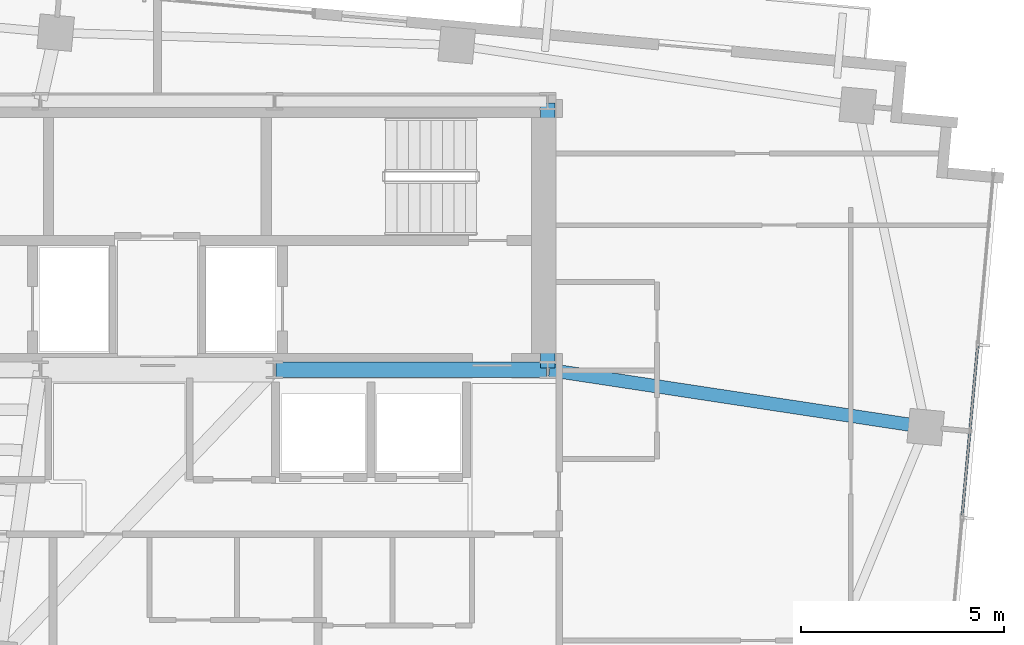
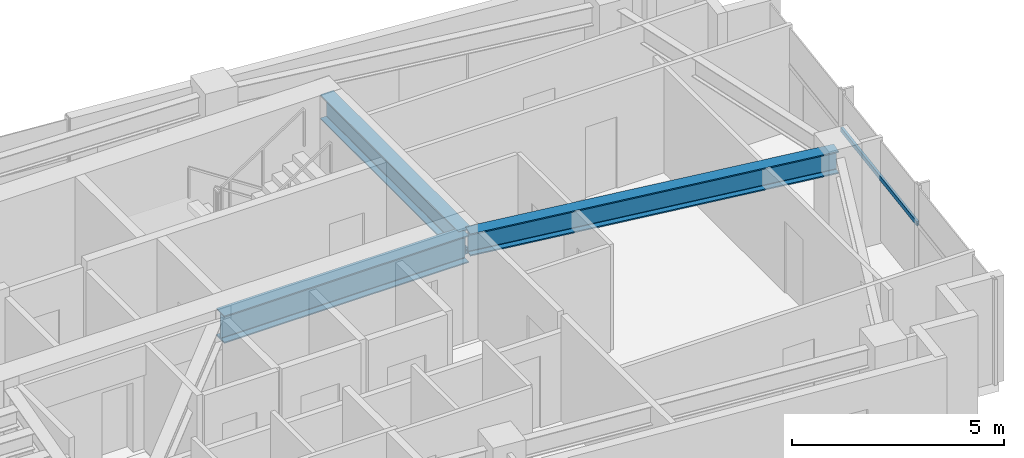
# One storey, part 13 of 22: 3 beams, 1 member, 1 element without a shape of its own.
"""IFC4 building model written with IfcOpenShell, lengths in metres."""

import ifcopenshell
import ifcopenshell.guid

model = None  # the IFC model being written
_history = None  # IfcOwnerHistory: only IFC2X3 demands one
_inside = {}  # id of a spatial element -> (the spatial element, [elements in it])
_under = {}  # id of a project, library or spatial element -> (it, [spatial elements below it])
_declared = {}  # id of a project -> (the project, [libraries it declares])
_typed = {}  # id of a type object -> (the type object, [elements of that type])
_made_of = {}  # id of a material, layer set ... -> (it, [elements and type objects made of it])


def new_model(schema):
    """Start an empty IFC model of exactly this schema.

    Asked for "IFC4X3", IfcOpenShell would pick the latest addendum, in which some entities
    have other attributes; the version numbers below select the first issue.
    IFC2X3 requires an IfcOwnerHistory on every rooted entity: one is made here for all.
    """
    global model, _history
    if schema == "IFC4X3":
        model = ifcopenshell.file(schema_version=(4, 3, 0, 0))
    else:
        model = ifcopenshell.file(schema=schema)
    _inside.clear()
    _under.clear()
    _declared.clear()
    _typed.clear()
    _made_of.clear()
    _history = None
    if model.schema == "IFC2X3":
        org = make("IfcOrganization", Name="unknown")
        user = make(
            "IfcPersonAndOrganization",
            ThePerson=make("IfcPerson", FamilyName="unknown"),
            TheOrganization=org,
        )
        app = make(
            "IfcApplication",
            ApplicationDeveloper=org,
            Version="unknown",
            ApplicationFullName="unknown",
            ApplicationIdentifier="unknown",
        )
        _history = make(
            "IfcOwnerHistory",
            OwningUser=user,
            OwningApplication=app,
            ChangeAction="ADDED",
            CreationDate=0,
        )
    return model


def make(cls, **values):
    """One entity of the class cls with the attributes given. An attribute that is None is left unset."""
    return model.create_entity(
        cls, **{name: value for name, value in values.items() if value is not None}
    )


def rooted(cls, **values):
    """An entity with a GlobalId (a new one), such as an element, a storey or a relation."""
    return make(cls, GlobalId=ifcopenshell.guid.new(), OwnerHistory=_history, **values)


def si_unit(unit_type, name, prefix=None):
    """IfcSIUnit, for example si_unit("LENGTHUNIT", "METRE", prefix="MILLI")."""
    return make("IfcSIUnit", UnitType=unit_type, Prefix=prefix, Name=name)


def assignment(units):
    """IfcUnitAssignment: the units of a project."""
    return None if units is None else make("IfcUnitAssignment", Units=units)


def point(xyz):
    """IfcCartesianPoint."""
    return None if xyz is None else make("IfcCartesianPoint", Coordinates=xyz)


def direction(xyz):
    """IfcDirection."""
    return None if xyz is None else make("IfcDirection", DirectionRatios=xyz)


def frame(location, z_axis=None, x_axis=None):
    """IfcAxis2Placement3D, a coordinate frame: its origin and axes. An axis left out is left unset."""
    return make(
        "IfcAxis2Placement3D",
        Location=point(location),
        Axis=direction(z_axis),
        RefDirection=direction(x_axis),
    )


def frame_2d(location, x_axis=None):
    """IfcAxis2Placement2D, a coordinate frame in the plane: its origin and x axis."""
    return make(
        "IfcAxis2Placement2D", Location=point(location), RefDirection=direction(x_axis)
    )


def origin():
    """The frame at (0, 0, 0) with its axes left unset."""
    return frame((0.0, 0.0, 0.0))


def origin_2d():
    """The frame at (0, 0) in the plane with its x axis left unset."""
    return frame_2d((0.0, 0.0))


def place(relative_to, where):
    """IfcLocalPlacement: puts the frame where relative to a parent placement (None: the world)."""
    return make(
        "IfcLocalPlacement", PlacementRelTo=relative_to, RelativePlacement=where
    )


def context(
    kind, dimensions, precision=None, world=None, true_north=None, identifier=None
):
    """IfcGeometricRepresentationContext, for example the 3D "Model" context."""
    return make(
        "IfcGeometricRepresentationContext",
        ContextIdentifier=identifier,
        ContextType=kind,
        CoordinateSpaceDimension=dimensions,
        Precision=precision,
        WorldCoordinateSystem=world,
        TrueNorth=true_north,
    )


def subcontext(parent, identifier, kind, view, scale=None):
    """IfcGeometricRepresentationSubContext, for example "Body" below "Model"."""
    return make(
        "IfcGeometricRepresentationSubContext",
        ContextIdentifier=identifier,
        ContextType=kind,
        ParentContext=parent,
        TargetScale=scale,
        TargetView=view,
    )


def project(units=None, contexts=None):
    """IfcProject with its units and contexts."""
    return rooted(
        "IfcProject",
        Name="project",
        RepresentationContexts=contexts,
        UnitsInContext=assignment(units),
    )


def spatial(cls, under=None, at=None, **own):
    """A site, building, storey or space (cls), placed at a placement, below another one or the project."""
    s = rooted(cls, ObjectPlacement=at, **own)
    if under is not None:
        _under.setdefault(under.id(), (under, []))[1].append(s)
    return s


def profile(cls, at=None, kind="AREA", **sizes):
    """A parametric profile (cls). Its sizes go by their IFC names, for example OverallWidth=200.0."""
    return make(cls, ProfileType=kind, Position=at, **sizes)


def hollow_rectangle(**sizes):
    """IfcRectangleHollowProfileDef."""
    return profile("IfcRectangleHollowProfileDef", **sizes)


def i_section(**sizes):
    """IfcIShapeProfileDef."""
    return profile("IfcIShapeProfileDef", **sizes)


def extrude(swept, where, along, depth):
    """IfcExtrudedAreaSolid: the profile swept, set in the frame where, extruded along a direction by depth."""
    return make(
        "IfcExtrudedAreaSolid",
        SweptArea=swept,
        Position=where,
        ExtrudedDirection=direction(along),
        Depth=depth,
    )


def shape(context_of_items, identifier, shape_type, items):
    """IfcShapeRepresentation: the items that make up one representation, for example the "Body"."""
    return make(
        "IfcShapeRepresentation",
        ContextOfItems=context_of_items,
        RepresentationIdentifier=identifier,
        RepresentationType=shape_type,
        Items=items,
    )


def source(mapping_origin, context_of_items, identifier, shape_type, items):
    """IfcRepresentationMap: a shape defined once, which mapped items show again and again."""
    return make(
        "IfcRepresentationMap",
        MappingOrigin=mapping_origin,
        MappedRepresentation=shape(context_of_items, identifier, shape_type, items),
    )


def transform(
    local_origin,
    x_axis=None,
    y_axis=None,
    z_axis=None,
    scale=None,
    scale2=None,
    scale3=None,
    uniform=True,
):
    """IfcCartesianTransformationOperator3D, or its non-uniform kind. x_axis, y_axis, z_axis: its Axis1, 2, 3."""
    if uniform:
        return make(
            "IfcCartesianTransformationOperator3D",
            Axis1=direction(x_axis),
            Axis2=direction(y_axis),
            LocalOrigin=point(local_origin),
            Scale=scale,
            Axis3=direction(z_axis),
        )
    return make(
        "IfcCartesianTransformationOperator3DnonUniform",
        Axis1=direction(x_axis),
        Axis2=direction(y_axis),
        LocalOrigin=point(local_origin),
        Scale=scale,
        Axis3=direction(z_axis),
        Scale2=scale2,
        Scale3=scale3,
    )


def mapped(mapping_source, mapping_target):
    """IfcMappedItem: shows the shape of a source again, moved by a transform."""
    return make(
        "IfcMappedItem", MappingSource=mapping_source, MappingTarget=mapping_target
    )


def material(Name=None, Category=None):
    """IfcMaterial."""
    return make("IfcMaterial", Name=Name, Category=Category)


def material_profile(
    of_material, cross_section, Name=None, Category=None, Priority=None
):
    """IfcMaterialProfile: a cross section and its material."""
    return make(
        "IfcMaterialProfile",
        Name=Name,
        Material=of_material,
        Profile=cross_section,
        Priority=Priority,
        Category=Category,
    )


def profile_set(profiles, Name=None, composite=None):
    """IfcMaterialProfileSet."""
    return make(
        "IfcMaterialProfileSet",
        Name=Name,
        MaterialProfiles=profiles,
        CompositeProfile=composite,
    )


def made_of(thing, what):
    """Note that an element or type object is made of a material, layer set ...; save() writes the relation."""
    if what is not None:
        _made_of.setdefault(what.id(), (what, []))[1].append(thing)
    return thing


def type_object(cls, material=None, **own):
    """A type object (cls), such as IfcWallType, which elements share."""
    return made_of(rooted(cls, **own), material)


def type_shapes(of_type, sources):
    """Give a type object the sources (RepresentationMaps) that its elements show as mapped items."""
    of_type.RepresentationMaps = sources


def element(
    cls,
    number,
    at=None,
    inside=None,
    cuts=None,
    type_object=None,
    material=None,
    context=None,
    identifier="Body",
    shape_type=None,
    held_by="IfcProductDefinitionShape",
    body=None,
    shapes=None,
    **own,
):
    """One element of the class cls, such as IfcWall. Its Tag is "e" and its number.

    at: its placement. inside: the storey or other place that contains it. cuts: it is an
    opening in that element (IfcRelVoidsElement). A single representation is given by context,
    identifier, shape_type and body (its items); several are given by shapes. held_by: the class
    of the entity that holds the representations. save() writes the other relations.
    """
    e = rooted(cls, Tag="e%d" % number, ObjectPlacement=at, **own)
    if body is not None:
        shapes = [shape(context, identifier, shape_type, body)]
    if shapes is not None:
        e.Representation = make(held_by, Representations=shapes)
    if inside is not None:
        _inside.setdefault(inside.id(), (inside, []))[1].append(e)
    if cuts is not None:
        rooted(
            "IfcRelVoidsElement", RelatingBuildingElement=cuts, RelatedOpeningElement=e
        )
    if type_object is not None:
        _typed.setdefault(type_object.id(), (type_object, []))[1].append(e)
    return made_of(e, material)


def aggregate(whole, parts):
    """IfcRelAggregates: a whole, such as a stair, and the parts it consists of."""
    return rooted("IfcRelAggregates", RelatingObject=whole, RelatedObjects=parts)


def save(model, path):
    """Write the relations noted so far, then the file.

    IfcRelAggregates (storeys below a building ...), IfcRelContainedInSpatialStructure (elements
    in a storey), IfcRelDefinesByType, IfcRelAssociatesMaterial and IfcRelDeclares: one each for
    every whole, place, type object, material and project.
    """
    for whole, parts in _under.values():
        aggregate(whole, parts)
    for where, things in _inside.values():
        rooted(
            "IfcRelContainedInSpatialStructure",
            RelatedElements=things,
            RelatingStructure=where,
        )
    for kind, things in _typed.values():
        rooted("IfcRelDefinesByType", RelatedObjects=things, RelatingType=kind)
    for what, things in _made_of.values():
        rooted("IfcRelAssociatesMaterial", RelatedObjects=things, RelatingMaterial=what)
    for by, libraries in _declared.values():
        rooted("IfcRelDeclares", RelatingContext=by, RelatedDefinitions=libraries)
    model.write(path)


model = new_model("IFC4")

# Units and contexts
model_context = context("Model", 3, precision=1e-05, world=origin(), true_north=direction((0.0, 1.0)))
body_context = subcontext(model_context, "Body", "Model", "MODEL_VIEW")
ifc_project = project(units=[si_unit("LENGTHUNIT", "METRE"), si_unit("AREAUNIT", "SQUARE_METRE"), si_unit("VOLUMEUNIT", "CUBIC_METRE"), si_unit("PLANEANGLEUNIT", "RADIAN"), si_unit("MASSUNIT", "GRAM", prefix="KILO")], contexts=[model_context])

# Site, building, storey
site_placement = place(None, origin())
site = spatial("IfcSite", under=ifc_project, at=site_placement, CompositionType="ELEMENT")
building_placement = place(site_placement, origin())
building = spatial("IfcBuilding", under=site, at=building_placement, Name="Astriad Promenade Condominiums", CompositionType="ELEMENT")
storey_placement = place(building_placement, frame((0.0, 0.0, 243.0)))
storey = spatial("IfcBuildingStorey", under=building, at=storey_placement, Name="L70", CompositionType="ELEMENT", Elevation=243.0)

# Beams
ifc_material_1 = material(Name="Steel ASTM A992 Grade 50", Category="steel")
ifc_material_profile_1 = material_profile(ifc_material_1, i_section(OverallWidth=0.3837890625, OverallDepth=0.785888671875, WebThickness=0.019775390625, FlangeThickness=0.033447265625, FilletRadius=0.021484375, at=origin_2d()), Name="W30X211")
ifc_profile_set_1 = profile_set([ifc_material_profile_1], Name="Steel ASTM A992 Grade 50")
beam_type_1 = type_object("IfcBeamType", Name="STEEL FLOOR GIRDER W30X211", PredefinedType="BEAM", material=ifc_profile_set_1)
shared_shape_1 = source(origin(), body_context, "Body", "SweptSolid", [
    extrude(i_section(OverallWidth=0.3837890625, OverallDepth=0.785888671875, WebThickness=0.019775390625, FlangeThickness=0.033447265625, FilletRadius=0.021484375, at=origin_2d()), origin(), (0.0, 0.0, 1.0), 6.64013671875),
])
type_shapes(beam_type_1, [shared_shape_1])
beam_1_placement = place(storey_placement, frame((38.919921875, 17.39990234375, 2.64697265625), z_axis=(1.0, 0.0, 0.0), x_axis=(0.0, 1.0, 0.0)))
element("IfcBeam", 1, at=beam_1_placement, inside=storey, type_object=beam_type_1, Name="Core Ring Beam CG-S3-L70", PredefinedType="BEAM", context=body_context, shape_type="MappedRepresentation", body=[
    mapped(shared_shape_1, transform((0.0, 0.0, 0.0), scale=1.0)),
])
ifc_material_profile_2 = material_profile(ifc_material_1, i_section(OverallWidth=0.35791015625, OverallDepth=0.706298828125, WebThickness=0.018310546875, FlangeThickness=0.0302734375, FilletRadius=0.020263671875, at=origin_2d()), Name="W27X178")
ifc_profile_set_2 = profile_set([ifc_material_profile_2], Name="Steel ASTM A992 Grade 50")
beam_type_2 = type_object("IfcBeamType", Name="STEEL FLOOR GIRDER W27X178", PredefinedType="BEAM", material=ifc_profile_set_2)
shared_shape_2 = source(origin(), body_context, "Body", "SweptSolid", [
    extrude(i_section(OverallWidth=0.35791015625, OverallDepth=0.706298828125, WebThickness=0.018310546875, FlangeThickness=0.0302734375, FilletRadius=0.020263671875, at=origin_2d()), origin(), (0.0, 0.0, 1.0), 6.52001953125),
])
type_shapes(beam_type_2, [shared_shape_2])
beam_2_placement = place(storey_placement, frame((45.60009765625, 17.43994140625, 2.686767578125), z_axis=(0.0, 1.0, 0.0), x_axis=(-1.0, 0.0, 0.0)))
element("IfcBeam", 2, at=beam_2_placement, inside=storey, type_object=beam_type_2, Name="Core Ring Beam CG-E1-L70", PredefinedType="BEAM", context=body_context, shape_type="MappedRepresentation", body=[
    mapped(shared_shape_2, transform((0.0, 0.0, 0.0), scale=1.0)),
])
ifc_material_profile_3 = material_profile(ifc_material_1, i_section(OverallWidth=0.327392578125, OverallDepth=0.640625, WebThickness=0.01904296875, FlangeThickness=0.033935546875, FilletRadius=0.017822265625, at=origin_2d()), Name="W24X176")
ifc_profile_set_3 = profile_set([ifc_material_profile_3], Name="Steel ASTM A992 Grade 50")
beam_type_3 = type_object("IfcBeamType", Name="STEEL FLOOR GIRDER W24X176", PredefinedType="BEAM", material=ifc_profile_set_3)
shared_shape_3 = source(origin(), body_context, "Body", "SweptSolid", [
    extrude(i_section(OverallWidth=0.327392578125, OverallDepth=0.640625, WebThickness=0.01904296875, FlangeThickness=0.033935546875, FilletRadius=0.017822265625, at=origin_2d()), origin(), (0.0, 0.0, 1.0), 9.315185546875),
])
type_shapes(beam_type_3, [shared_shape_3])
beam_3_placement = place(storey_placement, frame((54.84912109375, 15.995849609375, 2.7197265625), z_axis=(-0.988671230988, 0.150097291834, 0.0), x_axis=(-0.150097291834, -0.988671230988, 0.0)))
element("IfcBeam", 3, at=beam_3_placement, inside=storey, type_object=beam_type_3, Name="Primary Floor Girder PG-EM-L70", PredefinedType="BEAM", context=body_context, shape_type="MappedRepresentation", body=[
    mapped(shared_shape_3, transform((0.0, 0.0, 0.0), scale=1.0)),
])

# Curtain wall, member
ifc_material_2 = material(Name="Anodised aluminium Black Dark Glass Unitised", Category="aluminium")
curtain_wall_type = type_object("IfcCurtainWallType", Name="CW-B5-DARK", PredefinedType="USERDEFINED", material=ifc_material_2)
curtain_wall_placement = place(storey_placement, origin())
curtain_wall = element("IfcCurtainWall", 4, at=curtain_wall_placement, inside=storey, type_object=curtain_wall_type, Name="CW-L70-E", ObjectType="UNITISED_CURTAIN_WALL", PredefinedType="USERDEFINED")
ifc_material_3 = material(Name="Anodised aluminium 6063-T6 Black", Category="aluminium")
ifc_material_profile_4 = material_profile(ifc_material_3, hollow_rectangle(XDim=0.06494140625, YDim=0.1298828125, WallThickness=0.00390625, at=origin_2d()), Name="ALU-TRN-65X130")
ifc_profile_set_4 = profile_set([ifc_material_profile_4], Name="Anodised aluminium 6063-T6 Black")
member_type = type_object("IfcMemberType", Name="TRN-ALU-TRN-65X130", PredefinedType="USERDEFINED", material=ifc_profile_set_4)
shared_shape_4 = source(origin(), body_context, "Body", "SweptSolid", [
    extrude(hollow_rectangle(XDim=0.06494140625, YDim=0.1298828125, WallThickness=0.00390625, at=origin_2d()), origin(), (0.0, 0.0, 1.0), 4.266845703125),
])
type_shapes(member_type, [shared_shape_4])
member_placement = place(storey_placement, frame((56.16748046875, 18.015625, 1.884765625), z_axis=(-0.090633767096, -0.995884290599, 0.0), x_axis=(0.995884290599, -0.090633767096, 0.0)))
member = element("IfcMember", 5, at=member_placement, type_object=member_type, Name="CW-L70-E-TRN-01-0", ObjectType="TRANSOM", PredefinedType="USERDEFINED", context=body_context, shape_type="MappedRepresentation", body=[
    mapped(shared_shape_4, transform((0.0, 0.0, 0.0), scale=1.0)),
])
aggregate(curtain_wall, [member])

save(model, "model.ifc")
